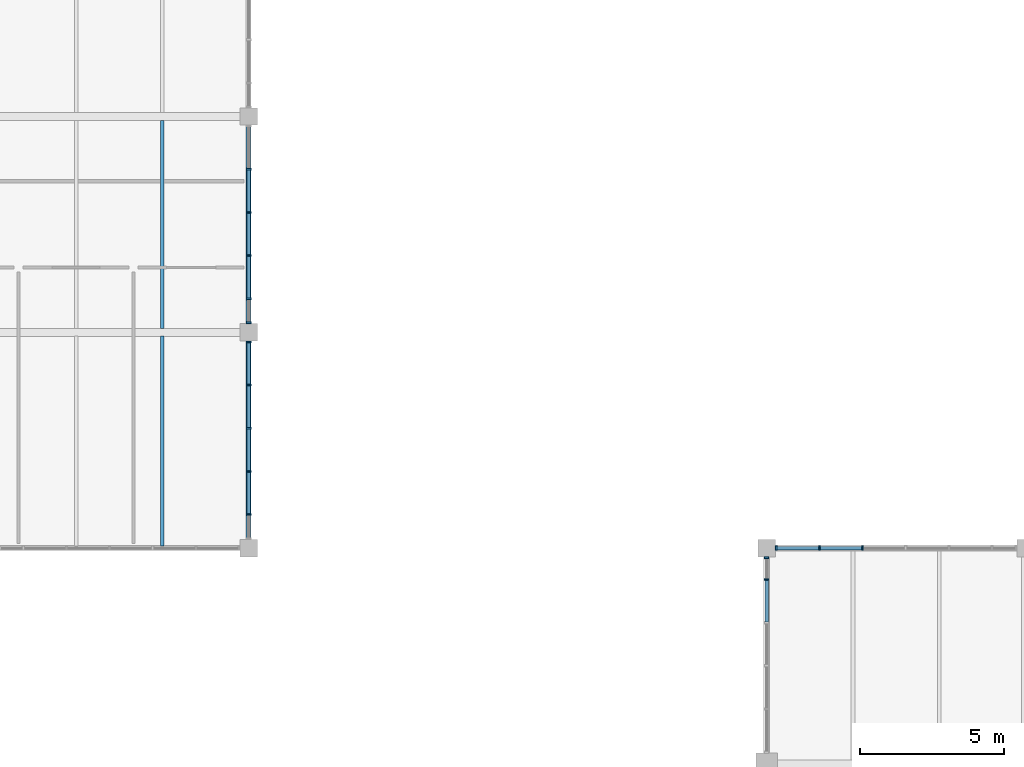
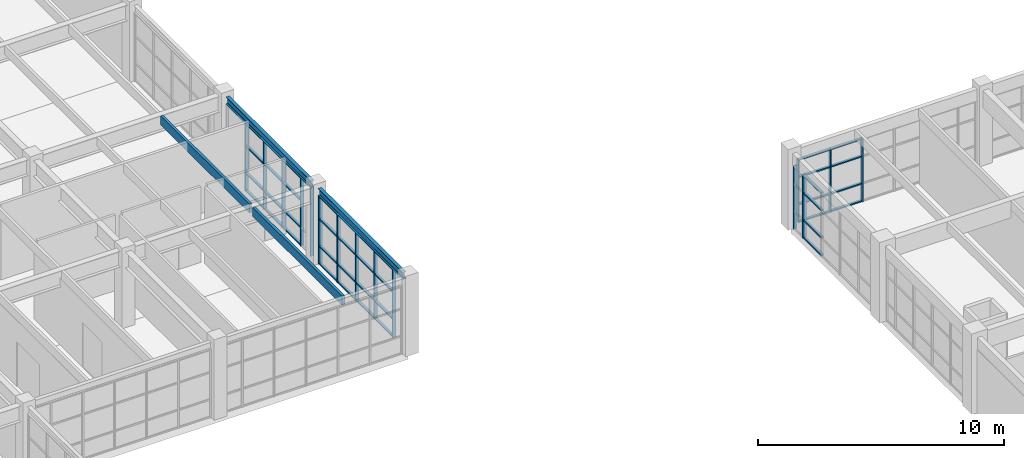
# One storey, part 30 of 76: 55 members, 4 beams, 4 elements without a shape of their own.
"""IFC4 building model written with IfcOpenShell, lengths in metres."""

from ifc_helpers import new_model, si_unit, direction, frame, origin, origin_2d, place, context, subcontext, project, spatial, rectangle, i_section, extrude, material, layer, layer_set, material_profile, profile_set, type_object, element, aggregate, save


model = new_model("IFC4")

# Units and contexts
model_context = context("Model", 3, precision=1e-05, world=origin(), true_north=direction((0.0, 1.0)))
body_context = subcontext(model_context, "Body", "Model", "MODEL_VIEW")
ifc_project = project(units=[si_unit("LENGTHUNIT", "METRE"), si_unit("AREAUNIT", "SQUARE_METRE"), si_unit("VOLUMEUNIT", "CUBIC_METRE"), si_unit("PLANEANGLEUNIT", "RADIAN"), si_unit("MASSUNIT", "GRAM", prefix="KILO")], contexts=[model_context])

# Site, building, storey
site_placement = place(None, origin())
site = spatial("IfcSite", under=ifc_project, at=site_placement, CompositionType="ELEMENT")
building_placement = place(site_placement, origin())
building = spatial("IfcBuilding", under=site, at=building_placement, Name="Marnridge Secondary College", CompositionType="ELEMENT")
storey_placement = place(building_placement, frame((0.0, 0.0, 4.5)))
storey = spatial("IfcBuildingStorey", under=building, at=storey_placement, Name="L01", CompositionType="ELEMENT", Elevation=4.5)

# Beams
ifc_material_1 = material(Name="Engineered timber LVL E13.2", Category="wood")
ifc_material_profile_1 = material_profile(ifc_material_1, rectangle(XDim=0.1259765625, YDim=0.449951171875, at=origin_2d()), Name="LVL 126x450")
ifc_profile_set_1 = profile_set([ifc_material_profile_1], Name="Engineered timber LVL E13.2")
beam_type_1 = type_object("IfcBeamType", Name="BM-LVL450-INT", PredefinedType="JOIST", material=ifc_profile_set_1)
beam_1_placement = place(storey_placement, frame((33.0, 82.57958984375, 3.534912109375), z_axis=(0.0, 1.0, 0.0), x_axis=(-1.0, 0.0, 0.0)))
element("IfcBeam", 1, at=beam_1_placement, inside=storey, type_object=beam_type_1, Name="Beam BJ-L01-0644", PredefinedType="JOIST", context=body_context, shape_type="SweptSolid", body=[
    extrude(rectangle(XDim=0.1259765625, YDim=0.449951171875, at=origin_2d()), origin(), (0.0, 0.0, 1.0), 7.288818359375),
])
beam_2_placement = place(storey_placement, frame((33.0, 90.131591796875, 3.534912109375), z_axis=(0.0, 1.0, 0.0), x_axis=(-1.0, 0.0, 0.0)))
element("IfcBeam", 2, at=beam_2_placement, inside=storey, type_object=beam_type_1, Name="Beam BJ-L01-0646", PredefinedType="JOIST", context=body_context, shape_type="SweptSolid", body=[
    extrude(rectangle(XDim=0.1259765625, YDim=0.449951171875, at=origin_2d()), origin(), (0.0, 0.0, 1.0), 7.23681640625),
])
ifc_material_2 = material(Name="Structural steel Grade 350 (AS/NZS 3679.1/.2, fy = 340-360 MPa)", Category="steel")
ifc_material_profile_2 = material_profile(ifc_material_2, i_section(OverallWidth=0.1708984375, OverallDepth=0.35205078125, WebThickness=0.0068359375, FlangeThickness=0.009765625, FilletRadius=0.011474609375, at=origin_2d()), Name="360UB44.7")
ifc_profile_set_2 = profile_set([ifc_material_profile_2], Name="Structural steel Grade 350 (AS/NZS 3679.1/.2, fy = 340-360 MPa)")
beam_type_2 = type_object("IfcBeamType", Name="BM-UB360-EXT", PredefinedType="SPANDREL", material=ifc_profile_set_2)
for number, where, z_axis, x_axis, name in (
    (3, (36.0, 82.7939453125, 3.583984375), (0.0, 1.0, 0.0), (-1.0, 0.0, 0.0), "Beam BS-L01-0602"),
    (4, (36.0, 90.2939453125, 3.583984375), (0.0, 1.0, 0.0), (-1.0, 0.0, 0.0), "Beam BS-L01-0604"),
):
    element("IfcBeam", number, at=place(storey_placement, frame(where, z_axis=z_axis, x_axis=x_axis)), inside=storey, type_object=beam_type_2, Name=name, PredefinedType="SPANDREL", context=body_context, shape_type="SweptSolid", body=[
        extrude(i_section(OverallWidth=0.1708984375, OverallDepth=0.35205078125, WebThickness=0.0068359375, FlangeThickness=0.009765625, FilletRadius=0.011474609375, at=origin_2d()), origin(), (0.0, 0.0, 1.0), 6.912109375),
    ])

# Curtain wall, members
ifc_material_3 = material(Name="Thermally broken aluminium and low-E glazing", Category="aluminium")
ifc_layer = layer(ifc_material_3, 0.159912109375)
ifc_layer_set = layer_set([ifc_layer], Name="CW-MOD-1500")
curtain_wall_type = type_object("IfcCurtainWallType", Name="CW-MOD-1500", PredefinedType="NOTDEFINED", material=ifc_layer_set)
curtain_wall_1_placement = place(storey_placement, origin())
curtain_wall_1 = element("IfcCurtainWall", 5, at=curtain_wall_1_placement, inside=storey, type_object=curtain_wall_type, Name="Unitised curtain wall CW-L01-028", PredefinedType="NOTDEFINED")
ifc_material_4 = material(Name="Anodised aluminium 6063-T6", Category="aluminium")
ifc_material_profile_3 = material_profile(ifc_material_4, rectangle(XDim=0.06005859375, YDim=0.159912109375, at=origin_2d()), Name="ALU 60x160")
ifc_profile_set_3 = profile_set([ifc_material_profile_3], Name="Anodised aluminium 6063-T6")
member_type_1 = type_object("IfcMemberType", Name="CWM-ALU160", PredefinedType="MULLION", material=ifc_profile_set_3)
member_1_placement = place(storey_placement, frame((54.333984375, 82.5, 0.0), z_axis=(0.0, 0.0, 1.0), x_axis=(1.0, 0.0, 0.0)))
member_1 = element("IfcMember", 6, at=member_1_placement, type_object=member_type_1, Name="CW-L01-028 mullion 1", PredefinedType="MULLION", context=body_context, shape_type="SweptSolid", body=[
    extrude(rectangle(XDim=0.06005859375, YDim=0.159912109375, at=origin_2d()), origin(), (0.0, 0.0, 1.0), 3.14697265625),
])
member_2_placement = place(storey_placement, frame((55.833984375, 82.5, 0.0), z_axis=(0.0, 0.0, 1.0), x_axis=(1.0, 0.0, 0.0)))
member_2 = element("IfcMember", 7, at=member_2_placement, type_object=member_type_1, Name="CW-L01-028 mullion 2", PredefinedType="MULLION", context=body_context, shape_type="SweptSolid", body=[
    extrude(rectangle(XDim=0.06005859375, YDim=0.159912109375, at=origin_2d()), origin(), (0.0, 0.0, 1.0), 3.14697265625),
])
member_3_placement = place(storey_placement, frame((57.333984375, 82.5, 0.0), z_axis=(0.0, 0.0, 1.0), x_axis=(1.0, 0.0, 0.0)))
member_3 = element("IfcMember", 8, at=member_3_placement, type_object=member_type_1, Name="CW-L01-028 mullion 3", PredefinedType="MULLION", context=body_context, shape_type="SweptSolid", body=[
    extrude(rectangle(XDim=0.06005859375, YDim=0.159912109375, at=origin_2d()), origin(), (0.0, 0.0, 1.0), 3.14697265625),
])

curtain_wall_2_placement = place(storey_placement, origin())
curtain_wall_2 = element("IfcCurtainWall", 9, at=curtain_wall_2_placement, inside=storey, type_object=curtain_wall_type, Name="Unitised curtain wall CW-L01-041", PredefinedType="NOTDEFINED")
member_4_placement = place(storey_placement, frame((54.0, 81.408935546875, 0.0), z_axis=(0.0, 0.0, 1.0), x_axis=(0.0, 1.0, 0.0)))
member_4 = element("IfcMember", 10, at=member_4_placement, type_object=member_type_1, Name="CW-L01-041 mullion 5", PredefinedType="MULLION", context=body_context, shape_type="SweptSolid", body=[
    extrude(rectangle(XDim=0.06005859375, YDim=0.159912109375, at=origin_2d()), origin(), (0.0, 0.0, 1.0), 3.14697265625),
])
member_5_placement = place(storey_placement, frame((54.0, 82.166015625, 0.0), z_axis=(0.0, 0.0, 1.0), x_axis=(0.0, 1.0, 0.0)))
member_5 = element("IfcMember", 11, at=member_5_placement, type_object=member_type_1, Name="CW-L01-041 mullion 6", PredefinedType="MULLION", context=body_context, shape_type="SweptSolid", body=[
    extrude(rectangle(XDim=0.06005859375, YDim=0.159912109375, at=origin_2d()), origin(), (0.0, 0.0, 1.0), 3.14697265625),
])

curtain_wall_3_placement = place(storey_placement, origin())
curtain_wall_3 = element("IfcCurtainWall", 12, at=curtain_wall_3_placement, inside=storey, type_object=curtain_wall_type, Name="Unitised curtain wall CW-L01-049", PredefinedType="NOTDEFINED")
member_6_placement = place(storey_placement, frame((36.0, 95.666015625, 0.0), z_axis=(0.0, 0.0, 1.0), x_axis=(0.0, -1.0, 0.0)))
member_6 = element("IfcMember", 13, at=member_6_placement, type_object=member_type_1, Name="CW-L01-049 mullion 2", PredefinedType="MULLION", context=body_context, shape_type="SweptSolid", body=[
    extrude(rectangle(XDim=0.06005859375, YDim=0.159912109375, at=origin_2d()), origin(), (0.0, 0.0, 1.0), 3.39990234375),
])
member_7_placement = place(storey_placement, frame((36.0, 94.166015625, 0.0), z_axis=(0.0, 0.0, 1.0), x_axis=(0.0, -1.0, 0.0)))
member_7 = element("IfcMember", 14, at=member_7_placement, type_object=member_type_1, Name="CW-L01-049 mullion 3", PredefinedType="MULLION", context=body_context, shape_type="SweptSolid", body=[
    extrude(rectangle(XDim=0.06005859375, YDim=0.159912109375, at=origin_2d()), origin(), (0.0, 0.0, 1.0), 3.39990234375),
])
member_8_placement = place(storey_placement, frame((36.0, 92.666015625, 0.0), z_axis=(0.0, 0.0, 1.0), x_axis=(0.0, -1.0, 0.0)))
member_8 = element("IfcMember", 15, at=member_8_placement, type_object=member_type_1, Name="CW-L01-049 mullion 4", PredefinedType="MULLION", context=body_context, shape_type="SweptSolid", body=[
    extrude(rectangle(XDim=0.06005859375, YDim=0.159912109375, at=origin_2d()), origin(), (0.0, 0.0, 1.0), 3.39990234375),
])
member_9_placement = place(storey_placement, frame((36.0, 91.166015625, 0.0), z_axis=(0.0, 0.0, 1.0), x_axis=(0.0, -1.0, 0.0)))
member_9 = element("IfcMember", 16, at=member_9_placement, type_object=member_type_1, Name="CW-L01-049 mullion 5", PredefinedType="MULLION", context=body_context, shape_type="SweptSolid", body=[
    extrude(rectangle(XDim=0.06005859375, YDim=0.159912109375, at=origin_2d()), origin(), (0.0, 0.0, 1.0), 3.39990234375),
])
member_10_placement = place(storey_placement, frame((36.0, 90.333984375, 0.0), z_axis=(0.0, 0.0, 1.0), x_axis=(0.0, -1.0, 0.0)))
member_10 = element("IfcMember", 17, at=member_10_placement, type_object=member_type_1, Name="CW-L01-049 mullion 6", PredefinedType="MULLION", context=body_context, shape_type="SweptSolid", body=[
    extrude(rectangle(XDim=0.06005859375, YDim=0.159912109375, at=origin_2d()), origin(), (0.0, 0.0, 1.0), 3.39990234375),
])

curtain_wall_4_placement = place(storey_placement, origin())
curtain_wall_4 = element("IfcCurtainWall", 18, at=curtain_wall_4_placement, inside=storey, type_object=curtain_wall_type, Name="Unitised curtain wall CW-L01-050", PredefinedType="NOTDEFINED")
member_11_placement = place(storey_placement, frame((36.0, 89.666015625, 0.0), z_axis=(0.0, 0.0, 1.0), x_axis=(0.0, -1.0, 0.0)))
member_11 = element("IfcMember", 19, at=member_11_placement, type_object=member_type_1, Name="CW-L01-050 mullion 1", PredefinedType="MULLION", context=body_context, shape_type="SweptSolid", body=[
    extrude(rectangle(XDim=0.06005859375, YDim=0.159912109375, at=origin_2d()), origin(), (0.0, 0.0, 1.0), 3.39990234375),
])
member_12_placement = place(storey_placement, frame((36.0, 88.166015625, 0.0), z_axis=(0.0, 0.0, 1.0), x_axis=(0.0, -1.0, 0.0)))
member_12 = element("IfcMember", 20, at=member_12_placement, type_object=member_type_1, Name="CW-L01-050 mullion 2", PredefinedType="MULLION", context=body_context, shape_type="SweptSolid", body=[
    extrude(rectangle(XDim=0.06005859375, YDim=0.159912109375, at=origin_2d()), origin(), (0.0, 0.0, 1.0), 3.39990234375),
])
member_13_placement = place(storey_placement, frame((36.0, 86.666015625, 0.0), z_axis=(0.0, 0.0, 1.0), x_axis=(0.0, -1.0, 0.0)))
member_13 = element("IfcMember", 21, at=member_13_placement, type_object=member_type_1, Name="CW-L01-050 mullion 3", PredefinedType="MULLION", context=body_context, shape_type="SweptSolid", body=[
    extrude(rectangle(XDim=0.06005859375, YDim=0.159912109375, at=origin_2d()), origin(), (0.0, 0.0, 1.0), 3.39990234375),
])
member_14_placement = place(storey_placement, frame((36.0, 85.166015625, 0.0), z_axis=(0.0, 0.0, 1.0), x_axis=(0.0, -1.0, 0.0)))
member_14 = element("IfcMember", 22, at=member_14_placement, type_object=member_type_1, Name="CW-L01-050 mullion 4", PredefinedType="MULLION", context=body_context, shape_type="SweptSolid", body=[
    extrude(rectangle(XDim=0.06005859375, YDim=0.159912109375, at=origin_2d()), origin(), (0.0, 0.0, 1.0), 3.39990234375),
])
member_15_placement = place(storey_placement, frame((36.0, 83.666015625, 0.0), z_axis=(0.0, 0.0, 1.0), x_axis=(0.0, -1.0, 0.0)))
member_15 = element("IfcMember", 23, at=member_15_placement, type_object=member_type_1, Name="CW-L01-050 mullion 5", PredefinedType="MULLION", context=body_context, shape_type="SweptSolid", body=[
    extrude(rectangle(XDim=0.06005859375, YDim=0.159912109375, at=origin_2d()), origin(), (0.0, 0.0, 1.0), 3.39990234375),
])

# Member
ifc_material_5 = material(Name="Anodised aluminium 6063-T6", Category="aluminium")
ifc_material_profile_4 = material_profile(ifc_material_5, rectangle(XDim=0.06005859375, YDim=0.1201171875, at=origin_2d()), Name="ALU 60x120")
ifc_profile_set_4 = profile_set([ifc_material_profile_4], Name="Anodised aluminium 6063-T6")
member_type_2 = type_object("IfcMemberType", Name="CWT-ALU120", PredefinedType="USERDEFINED", material=ifc_profile_set_4)
member_16_placement = place(storey_placement, frame((54.364013671875, 82.5, 0.030029296875), z_axis=(1.0, 0.0, 0.0), x_axis=(0.0, 0.0, 1.0)))
member_16 = element("IfcMember", 24, at=member_16_placement, type_object=member_type_2, Name="CW-L01-028 transom 1.1", ObjectType="TRANSOM", PredefinedType="USERDEFINED", context=body_context, shape_type="SweptSolid", body=[
    extrude(rectangle(XDim=0.06005859375, YDim=0.1201171875, at=origin_2d()), origin(), (0.0, 0.0, 1.0), 1.43994140625),
])

member_17_placement = place(storey_placement, frame((54.364013671875, 82.5, 0.89990234375), z_axis=(1.0, 0.0, 0.0), x_axis=(0.0, 0.0, 1.0)))
member_17 = element("IfcMember", 25, at=member_17_placement, type_object=member_type_2, Name="CW-L01-028 transom 1.2", ObjectType="TRANSOM", PredefinedType="USERDEFINED", context=body_context, shape_type="SweptSolid", body=[
    extrude(rectangle(XDim=0.06005859375, YDim=0.1201171875, at=origin_2d()), origin(), (0.0, 0.0, 1.0), 1.43994140625),
])

member_18_placement = place(storey_placement, frame((54.364013671875, 82.5, 2.25), z_axis=(1.0, 0.0, 0.0), x_axis=(0.0, 0.0, 1.0)))
member_18 = element("IfcMember", 26, at=member_18_placement, type_object=member_type_2, Name="CW-L01-028 transom 1.3", ObjectType="TRANSOM", PredefinedType="USERDEFINED", context=body_context, shape_type="SweptSolid", body=[
    extrude(rectangle(XDim=0.06005859375, YDim=0.1201171875, at=origin_2d()), origin(), (0.0, 0.0, 1.0), 1.43994140625),
])

member_19_placement = place(storey_placement, frame((54.364013671875, 82.5, 3.116943359375), z_axis=(1.0, 0.0, 0.0), x_axis=(0.0, 0.0, 1.0)))
member_19 = element("IfcMember", 27, at=member_19_placement, type_object=member_type_2, Name="CW-L01-028 transom 1.4", ObjectType="TRANSOM", PredefinedType="USERDEFINED", context=body_context, shape_type="SweptSolid", body=[
    extrude(rectangle(XDim=0.06005859375, YDim=0.1201171875, at=origin_2d()), origin(), (0.0, 0.0, 1.0), 1.43994140625),
])

member_20_placement = place(storey_placement, frame((55.864013671875, 82.5, 0.030029296875), z_axis=(1.0, 0.0, 0.0), x_axis=(0.0, 0.0, 1.0)))
member_20 = element("IfcMember", 28, at=member_20_placement, type_object=member_type_2, Name="CW-L01-028 transom 2.1", ObjectType="TRANSOM", PredefinedType="USERDEFINED", context=body_context, shape_type="SweptSolid", body=[
    extrude(rectangle(XDim=0.06005859375, YDim=0.1201171875, at=origin_2d()), origin(), (0.0, 0.0, 1.0), 1.43994140625),
])

member_21_placement = place(storey_placement, frame((55.864013671875, 82.5, 0.89990234375), z_axis=(1.0, 0.0, 0.0), x_axis=(0.0, 0.0, 1.0)))
member_21 = element("IfcMember", 29, at=member_21_placement, type_object=member_type_2, Name="CW-L01-028 transom 2.2", ObjectType="TRANSOM", PredefinedType="USERDEFINED", context=body_context, shape_type="SweptSolid", body=[
    extrude(rectangle(XDim=0.06005859375, YDim=0.1201171875, at=origin_2d()), origin(), (0.0, 0.0, 1.0), 1.43994140625),
])

member_22_placement = place(storey_placement, frame((55.864013671875, 82.5, 2.25), z_axis=(1.0, 0.0, 0.0), x_axis=(0.0, 0.0, 1.0)))
member_22 = element("IfcMember", 30, at=member_22_placement, type_object=member_type_2, Name="CW-L01-028 transom 2.3", ObjectType="TRANSOM", PredefinedType="USERDEFINED", context=body_context, shape_type="SweptSolid", body=[
    extrude(rectangle(XDim=0.06005859375, YDim=0.1201171875, at=origin_2d()), origin(), (0.0, 0.0, 1.0), 1.43994140625),
])

member_23_placement = place(storey_placement, frame((55.864013671875, 82.5, 3.116943359375), z_axis=(1.0, 0.0, 0.0), x_axis=(0.0, 0.0, 1.0)))
member_23 = element("IfcMember", 31, at=member_23_placement, type_object=member_type_2, Name="CW-L01-028 transom 2.4", ObjectType="TRANSOM", PredefinedType="USERDEFINED", context=body_context, shape_type="SweptSolid", body=[
    extrude(rectangle(XDim=0.06005859375, YDim=0.1201171875, at=origin_2d()), origin(), (0.0, 0.0, 1.0), 1.43994140625),
])

aggregate(curtain_wall_1, [member_1, member_2, member_3, member_16, member_17, member_18, member_19, member_20, member_21, member_22, member_23])

member_24_placement = place(storey_placement, frame((54.0, 79.93896484375, 0.030029296875), z_axis=(0.0, 1.0, 0.0), x_axis=(0.0, 0.0, 1.0)))
member_24 = element("IfcMember", 32, at=member_24_placement, type_object=member_type_2, Name="CW-L01-041 transom 4.1", ObjectType="TRANSOM", PredefinedType="USERDEFINED", context=body_context, shape_type="SweptSolid", body=[
    extrude(rectangle(XDim=0.06005859375, YDim=0.1201171875, at=origin_2d()), origin(), (0.0, 0.0, 1.0), 1.43994140625),
])

member_25_placement = place(storey_placement, frame((54.0, 79.93896484375, 0.89990234375), z_axis=(0.0, 1.0, 0.0), x_axis=(0.0, 0.0, 1.0)))
member_25 = element("IfcMember", 33, at=member_25_placement, type_object=member_type_2, Name="CW-L01-041 transom 4.2", ObjectType="TRANSOM", PredefinedType="USERDEFINED", context=body_context, shape_type="SweptSolid", body=[
    extrude(rectangle(XDim=0.06005859375, YDim=0.1201171875, at=origin_2d()), origin(), (0.0, 0.0, 1.0), 1.43994140625),
])

member_26_placement = place(storey_placement, frame((54.0, 79.93896484375, 2.25), z_axis=(0.0, 1.0, 0.0), x_axis=(0.0, 0.0, 1.0)))
member_26 = element("IfcMember", 34, at=member_26_placement, type_object=member_type_2, Name="CW-L01-041 transom 4.3", ObjectType="TRANSOM", PredefinedType="USERDEFINED", context=body_context, shape_type="SweptSolid", body=[
    extrude(rectangle(XDim=0.06005859375, YDim=0.1201171875, at=origin_2d()), origin(), (0.0, 0.0, 1.0), 1.43994140625),
])

member_27_placement = place(storey_placement, frame((54.0, 79.93896484375, 3.116943359375), z_axis=(0.0, 1.0, 0.0), x_axis=(0.0, 0.0, 1.0)))
member_27 = element("IfcMember", 35, at=member_27_placement, type_object=member_type_2, Name="CW-L01-041 transom 4.4", ObjectType="TRANSOM", PredefinedType="USERDEFINED", context=body_context, shape_type="SweptSolid", body=[
    extrude(rectangle(XDim=0.06005859375, YDim=0.1201171875, at=origin_2d()), origin(), (0.0, 0.0, 1.0), 1.43994140625),
])

aggregate(curtain_wall_2, [member_4, member_5, member_24, member_25, member_26, member_27])

member_28_placement = place(storey_placement, frame((36.0, 95.635986328125, 0.030029296875), z_axis=(0.0, -1.0, 0.0), x_axis=(0.0, 0.0, 1.0)))
member_28 = element("IfcMember", 36, at=member_28_placement, type_object=member_type_2, Name="CW-L01-049 transom 2.1", ObjectType="TRANSOM", PredefinedType="USERDEFINED", context=body_context, shape_type="SweptSolid", body=[
    extrude(rectangle(XDim=0.06005859375, YDim=0.1201171875, at=origin_2d()), origin(), (0.0, 0.0, 1.0), 1.43994140625),
])

member_29_placement = place(storey_placement, frame((36.0, 95.635986328125, 0.89990234375), z_axis=(0.0, -1.0, 0.0), x_axis=(0.0, 0.0, 1.0)))
member_29 = element("IfcMember", 37, at=member_29_placement, type_object=member_type_2, Name="CW-L01-049 transom 2.2", ObjectType="TRANSOM", PredefinedType="USERDEFINED", context=body_context, shape_type="SweptSolid", body=[
    extrude(rectangle(XDim=0.06005859375, YDim=0.1201171875, at=origin_2d()), origin(), (0.0, 0.0, 1.0), 1.43994140625),
])

member_30_placement = place(storey_placement, frame((36.0, 95.635986328125, 2.25), z_axis=(0.0, -1.0, 0.0), x_axis=(0.0, 0.0, 1.0)))
member_30 = element("IfcMember", 38, at=member_30_placement, type_object=member_type_2, Name="CW-L01-049 transom 2.3", ObjectType="TRANSOM", PredefinedType="USERDEFINED", context=body_context, shape_type="SweptSolid", body=[
    extrude(rectangle(XDim=0.06005859375, YDim=0.1201171875, at=origin_2d()), origin(), (0.0, 0.0, 1.0), 1.43994140625),
])

member_31_placement = place(storey_placement, frame((36.0, 95.635986328125, 3.3701171875), z_axis=(0.0, -1.0, 0.0), x_axis=(0.0, 0.0, 1.0)))
member_31 = element("IfcMember", 39, at=member_31_placement, type_object=member_type_2, Name="CW-L01-049 transom 2.4", ObjectType="TRANSOM", PredefinedType="USERDEFINED", context=body_context, shape_type="SweptSolid", body=[
    extrude(rectangle(XDim=0.06005859375, YDim=0.1201171875, at=origin_2d()), origin(), (0.0, 0.0, 1.0), 1.43994140625),
])

member_32_placement = place(storey_placement, frame((36.0, 94.135986328125, 0.030029296875), z_axis=(0.0, -1.0, 0.0), x_axis=(0.0, 0.0, 1.0)))
member_32 = element("IfcMember", 40, at=member_32_placement, type_object=member_type_2, Name="CW-L01-049 transom 3.1", ObjectType="TRANSOM", PredefinedType="USERDEFINED", context=body_context, shape_type="SweptSolid", body=[
    extrude(rectangle(XDim=0.06005859375, YDim=0.1201171875, at=origin_2d()), origin(), (0.0, 0.0, 1.0), 1.43994140625),
])

member_33_placement = place(storey_placement, frame((36.0, 94.135986328125, 0.89990234375), z_axis=(0.0, -1.0, 0.0), x_axis=(0.0, 0.0, 1.0)))
member_33 = element("IfcMember", 41, at=member_33_placement, type_object=member_type_2, Name="CW-L01-049 transom 3.2", ObjectType="TRANSOM", PredefinedType="USERDEFINED", context=body_context, shape_type="SweptSolid", body=[
    extrude(rectangle(XDim=0.06005859375, YDim=0.1201171875, at=origin_2d()), origin(), (0.0, 0.0, 1.0), 1.43994140625),
])

member_34_placement = place(storey_placement, frame((36.0, 94.135986328125, 2.25), z_axis=(0.0, -1.0, 0.0), x_axis=(0.0, 0.0, 1.0)))
member_34 = element("IfcMember", 42, at=member_34_placement, type_object=member_type_2, Name="CW-L01-049 transom 3.3", ObjectType="TRANSOM", PredefinedType="USERDEFINED", context=body_context, shape_type="SweptSolid", body=[
    extrude(rectangle(XDim=0.06005859375, YDim=0.1201171875, at=origin_2d()), origin(), (0.0, 0.0, 1.0), 1.43994140625),
])

member_35_placement = place(storey_placement, frame((36.0, 94.135986328125, 3.3701171875), z_axis=(0.0, -1.0, 0.0), x_axis=(0.0, 0.0, 1.0)))
member_35 = element("IfcMember", 43, at=member_35_placement, type_object=member_type_2, Name="CW-L01-049 transom 3.4", ObjectType="TRANSOM", PredefinedType="USERDEFINED", context=body_context, shape_type="SweptSolid", body=[
    extrude(rectangle(XDim=0.06005859375, YDim=0.1201171875, at=origin_2d()), origin(), (0.0, 0.0, 1.0), 1.43994140625),
])

member_36_placement = place(storey_placement, frame((36.0, 92.635986328125, 0.030029296875), z_axis=(0.0, -1.0, 0.0), x_axis=(0.0, 0.0, 1.0)))
member_36 = element("IfcMember", 44, at=member_36_placement, type_object=member_type_2, Name="CW-L01-049 transom 4.1", ObjectType="TRANSOM", PredefinedType="USERDEFINED", context=body_context, shape_type="SweptSolid", body=[
    extrude(rectangle(XDim=0.06005859375, YDim=0.1201171875, at=origin_2d()), origin(), (0.0, 0.0, 1.0), 1.43994140625),
])

member_37_placement = place(storey_placement, frame((36.0, 92.635986328125, 0.89990234375), z_axis=(0.0, -1.0, 0.0), x_axis=(0.0, 0.0, 1.0)))
member_37 = element("IfcMember", 45, at=member_37_placement, type_object=member_type_2, Name="CW-L01-049 transom 4.2", ObjectType="TRANSOM", PredefinedType="USERDEFINED", context=body_context, shape_type="SweptSolid", body=[
    extrude(rectangle(XDim=0.06005859375, YDim=0.1201171875, at=origin_2d()), origin(), (0.0, 0.0, 1.0), 1.43994140625),
])

member_38_placement = place(storey_placement, frame((36.0, 92.635986328125, 2.25), z_axis=(0.0, -1.0, 0.0), x_axis=(0.0, 0.0, 1.0)))
member_38 = element("IfcMember", 46, at=member_38_placement, type_object=member_type_2, Name="CW-L01-049 transom 4.3", ObjectType="TRANSOM", PredefinedType="USERDEFINED", context=body_context, shape_type="SweptSolid", body=[
    extrude(rectangle(XDim=0.06005859375, YDim=0.1201171875, at=origin_2d()), origin(), (0.0, 0.0, 1.0), 1.43994140625),
])

member_39_placement = place(storey_placement, frame((36.0, 92.635986328125, 3.3701171875), z_axis=(0.0, -1.0, 0.0), x_axis=(0.0, 0.0, 1.0)))
member_39 = element("IfcMember", 47, at=member_39_placement, type_object=member_type_2, Name="CW-L01-049 transom 4.4", ObjectType="TRANSOM", PredefinedType="USERDEFINED", context=body_context, shape_type="SweptSolid", body=[
    extrude(rectangle(XDim=0.06005859375, YDim=0.1201171875, at=origin_2d()), origin(), (0.0, 0.0, 1.0), 1.43994140625),
])

aggregate(curtain_wall_3, [member_6, member_7, member_8, member_9, member_10, member_28, member_29, member_30, member_31, member_32, member_33, member_34, member_35, member_36, member_37, member_38, member_39])

member_40_placement = place(storey_placement, frame((36.0, 89.635986328125, 0.030029296875), z_axis=(0.0, -1.0, 0.0), x_axis=(0.0, 0.0, 1.0)))
member_40 = element("IfcMember", 48, at=member_40_placement, type_object=member_type_2, Name="CW-L01-050 transom 1.1", ObjectType="TRANSOM", PredefinedType="USERDEFINED", context=body_context, shape_type="SweptSolid", body=[
    extrude(rectangle(XDim=0.06005859375, YDim=0.1201171875, at=origin_2d()), origin(), (0.0, 0.0, 1.0), 1.43994140625),
])

member_41_placement = place(storey_placement, frame((36.0, 89.635986328125, 0.89990234375), z_axis=(0.0, -1.0, 0.0), x_axis=(0.0, 0.0, 1.0)))
member_41 = element("IfcMember", 49, at=member_41_placement, type_object=member_type_2, Name="CW-L01-050 transom 1.2", ObjectType="TRANSOM", PredefinedType="USERDEFINED", context=body_context, shape_type="SweptSolid", body=[
    extrude(rectangle(XDim=0.06005859375, YDim=0.1201171875, at=origin_2d()), origin(), (0.0, 0.0, 1.0), 1.43994140625),
])

member_42_placement = place(storey_placement, frame((36.0, 89.635986328125, 2.25), z_axis=(0.0, -1.0, 0.0), x_axis=(0.0, 0.0, 1.0)))
member_42 = element("IfcMember", 50, at=member_42_placement, type_object=member_type_2, Name="CW-L01-050 transom 1.3", ObjectType="TRANSOM", PredefinedType="USERDEFINED", context=body_context, shape_type="SweptSolid", body=[
    extrude(rectangle(XDim=0.06005859375, YDim=0.1201171875, at=origin_2d()), origin(), (0.0, 0.0, 1.0), 1.43994140625),
])

member_43_placement = place(storey_placement, frame((36.0, 89.635986328125, 3.3701171875), z_axis=(0.0, -1.0, 0.0), x_axis=(0.0, 0.0, 1.0)))
member_43 = element("IfcMember", 51, at=member_43_placement, type_object=member_type_2, Name="CW-L01-050 transom 1.4", ObjectType="TRANSOM", PredefinedType="USERDEFINED", context=body_context, shape_type="SweptSolid", body=[
    extrude(rectangle(XDim=0.06005859375, YDim=0.1201171875, at=origin_2d()), origin(), (0.0, 0.0, 1.0), 1.43994140625),
])

member_44_placement = place(storey_placement, frame((36.0, 88.135986328125, 0.030029296875), z_axis=(0.0, -1.0, 0.0), x_axis=(0.0, 0.0, 1.0)))
member_44 = element("IfcMember", 52, at=member_44_placement, type_object=member_type_2, Name="CW-L01-050 transom 2.1", ObjectType="TRANSOM", PredefinedType="USERDEFINED", context=body_context, shape_type="SweptSolid", body=[
    extrude(rectangle(XDim=0.06005859375, YDim=0.1201171875, at=origin_2d()), origin(), (0.0, 0.0, 1.0), 1.43994140625),
])

member_45_placement = place(storey_placement, frame((36.0, 88.135986328125, 0.89990234375), z_axis=(0.0, -1.0, 0.0), x_axis=(0.0, 0.0, 1.0)))
member_45 = element("IfcMember", 53, at=member_45_placement, type_object=member_type_2, Name="CW-L01-050 transom 2.2", ObjectType="TRANSOM", PredefinedType="USERDEFINED", context=body_context, shape_type="SweptSolid", body=[
    extrude(rectangle(XDim=0.06005859375, YDim=0.1201171875, at=origin_2d()), origin(), (0.0, 0.0, 1.0), 1.43994140625),
])

member_46_placement = place(storey_placement, frame((36.0, 88.135986328125, 2.25), z_axis=(0.0, -1.0, 0.0), x_axis=(0.0, 0.0, 1.0)))
member_46 = element("IfcMember", 54, at=member_46_placement, type_object=member_type_2, Name="CW-L01-050 transom 2.3", ObjectType="TRANSOM", PredefinedType="USERDEFINED", context=body_context, shape_type="SweptSolid", body=[
    extrude(rectangle(XDim=0.06005859375, YDim=0.1201171875, at=origin_2d()), origin(), (0.0, 0.0, 1.0), 1.43994140625),
])

member_47_placement = place(storey_placement, frame((36.0, 88.135986328125, 3.3701171875), z_axis=(0.0, -1.0, 0.0), x_axis=(0.0, 0.0, 1.0)))
member_47 = element("IfcMember", 55, at=member_47_placement, type_object=member_type_2, Name="CW-L01-050 transom 2.4", ObjectType="TRANSOM", PredefinedType="USERDEFINED", context=body_context, shape_type="SweptSolid", body=[
    extrude(rectangle(XDim=0.06005859375, YDim=0.1201171875, at=origin_2d()), origin(), (0.0, 0.0, 1.0), 1.43994140625),
])

member_48_placement = place(storey_placement, frame((36.0, 86.635986328125, 0.030029296875), z_axis=(0.0, -1.0, 0.0), x_axis=(0.0, 0.0, 1.0)))
member_48 = element("IfcMember", 56, at=member_48_placement, type_object=member_type_2, Name="CW-L01-050 transom 3.1", ObjectType="TRANSOM", PredefinedType="USERDEFINED", context=body_context, shape_type="SweptSolid", body=[
    extrude(rectangle(XDim=0.06005859375, YDim=0.1201171875, at=origin_2d()), origin(), (0.0, 0.0, 1.0), 1.43994140625),
])

member_49_placement = place(storey_placement, frame((36.0, 86.635986328125, 0.89990234375), z_axis=(0.0, -1.0, 0.0), x_axis=(0.0, 0.0, 1.0)))
member_49 = element("IfcMember", 57, at=member_49_placement, type_object=member_type_2, Name="CW-L01-050 transom 3.2", ObjectType="TRANSOM", PredefinedType="USERDEFINED", context=body_context, shape_type="SweptSolid", body=[
    extrude(rectangle(XDim=0.06005859375, YDim=0.1201171875, at=origin_2d()), origin(), (0.0, 0.0, 1.0), 1.43994140625),
])

member_50_placement = place(storey_placement, frame((36.0, 86.635986328125, 2.25), z_axis=(0.0, -1.0, 0.0), x_axis=(0.0, 0.0, 1.0)))
member_50 = element("IfcMember", 58, at=member_50_placement, type_object=member_type_2, Name="CW-L01-050 transom 3.3", ObjectType="TRANSOM", PredefinedType="USERDEFINED", context=body_context, shape_type="SweptSolid", body=[
    extrude(rectangle(XDim=0.06005859375, YDim=0.1201171875, at=origin_2d()), origin(), (0.0, 0.0, 1.0), 1.43994140625),
])

member_51_placement = place(storey_placement, frame((36.0, 86.635986328125, 3.3701171875), z_axis=(0.0, -1.0, 0.0), x_axis=(0.0, 0.0, 1.0)))
member_51 = element("IfcMember", 59, at=member_51_placement, type_object=member_type_2, Name="CW-L01-050 transom 3.4", ObjectType="TRANSOM", PredefinedType="USERDEFINED", context=body_context, shape_type="SweptSolid", body=[
    extrude(rectangle(XDim=0.06005859375, YDim=0.1201171875, at=origin_2d()), origin(), (0.0, 0.0, 1.0), 1.43994140625),
])

member_52_placement = place(storey_placement, frame((36.0, 85.135986328125, 0.030029296875), z_axis=(0.0, -1.0, 0.0), x_axis=(0.0, 0.0, 1.0)))
member_52 = element("IfcMember", 60, at=member_52_placement, type_object=member_type_2, Name="CW-L01-050 transom 4.1", ObjectType="TRANSOM", PredefinedType="USERDEFINED", context=body_context, shape_type="SweptSolid", body=[
    extrude(rectangle(XDim=0.06005859375, YDim=0.1201171875, at=origin_2d()), origin(), (0.0, 0.0, 1.0), 1.43994140625),
])

member_53_placement = place(storey_placement, frame((36.0, 85.135986328125, 0.89990234375), z_axis=(0.0, -1.0, 0.0), x_axis=(0.0, 0.0, 1.0)))
member_53 = element("IfcMember", 61, at=member_53_placement, type_object=member_type_2, Name="CW-L01-050 transom 4.2", ObjectType="TRANSOM", PredefinedType="USERDEFINED", context=body_context, shape_type="SweptSolid", body=[
    extrude(rectangle(XDim=0.06005859375, YDim=0.1201171875, at=origin_2d()), origin(), (0.0, 0.0, 1.0), 1.43994140625),
])

member_54_placement = place(storey_placement, frame((36.0, 85.135986328125, 2.25), z_axis=(0.0, -1.0, 0.0), x_axis=(0.0, 0.0, 1.0)))
member_54 = element("IfcMember", 62, at=member_54_placement, type_object=member_type_2, Name="CW-L01-050 transom 4.3", ObjectType="TRANSOM", PredefinedType="USERDEFINED", context=body_context, shape_type="SweptSolid", body=[
    extrude(rectangle(XDim=0.06005859375, YDim=0.1201171875, at=origin_2d()), origin(), (0.0, 0.0, 1.0), 1.43994140625),
])

member_55_placement = place(storey_placement, frame((36.0, 85.135986328125, 3.3701171875), z_axis=(0.0, -1.0, 0.0), x_axis=(0.0, 0.0, 1.0)))
member_55 = element("IfcMember", 63, at=member_55_placement, type_object=member_type_2, Name="CW-L01-050 transom 4.4", ObjectType="TRANSOM", PredefinedType="USERDEFINED", context=body_context, shape_type="SweptSolid", body=[
    extrude(rectangle(XDim=0.06005859375, YDim=0.1201171875, at=origin_2d()), origin(), (0.0, 0.0, 1.0), 1.43994140625),
])

aggregate(curtain_wall_4, [member_11, member_12, member_13, member_14, member_15, member_40, member_41, member_42, member_43, member_44, member_45, member_46, member_47, member_48, member_49, member_50, member_51, member_52, member_53, member_54, member_55])

save(model, "model.ifc")
